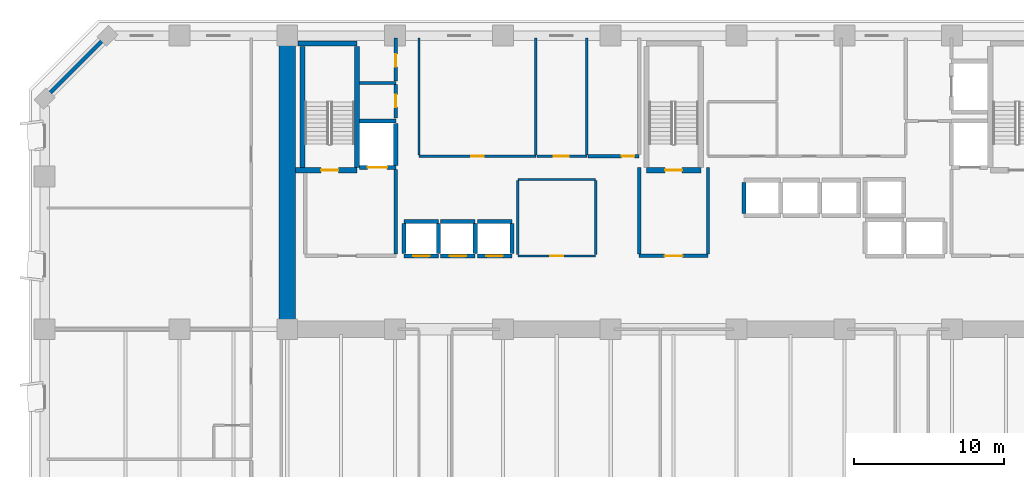
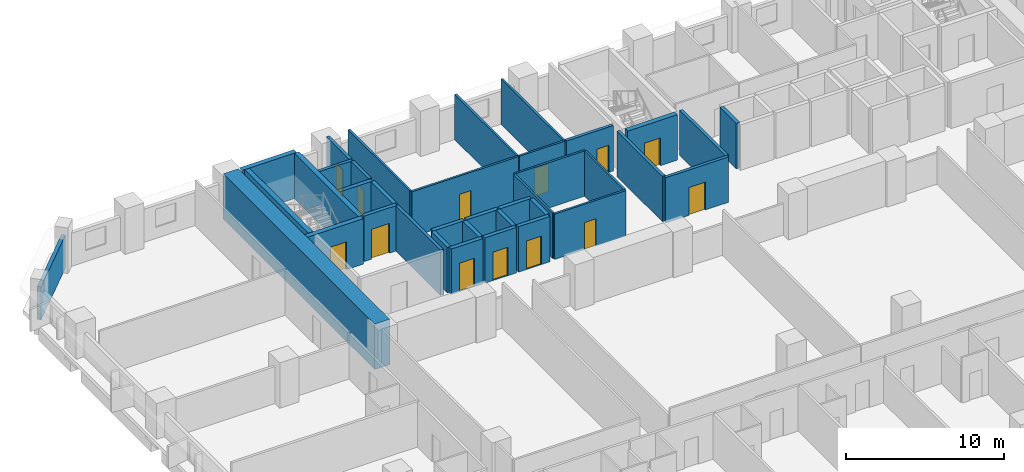
# One storey, part 7 of 15: 38 walls, 13 doors, 13 openings.
"""IFC4 building model written with IfcOpenShell, lengths in metres."""

from ifc_helpers import new_model, si_unit, direction, frame, frame_2d, origin, place, context, subcontext, project, spatial, rectangle, extrude, material, layer, layer_set, type_object, element, fill, save


model = new_model("IFC4")

# Units and contexts
model_context = context("Model", 3, precision=1e-05, world=origin(), true_north=direction((0.0, 1.0)))
body_context = subcontext(model_context, "Body", "Model", "MODEL_VIEW")
ifc_project = project(units=[si_unit("LENGTHUNIT", "METRE"), si_unit("AREAUNIT", "SQUARE_METRE"), si_unit("VOLUMEUNIT", "CUBIC_METRE"), si_unit("PLANEANGLEUNIT", "RADIAN"), si_unit("MASSUNIT", "GRAM", prefix="KILO")], contexts=[model_context])

# Site, building, storey
site_placement = place(None, origin())
site = spatial("IfcSite", under=ifc_project, at=site_placement, CompositionType="ELEMENT")
building_placement = place(site_placement, origin())
building = spatial("IfcBuilding", under=site, at=building_placement, Name="Kaelvorn Grand Hotel", CompositionType="ELEMENT")
storey_placement = place(building_placement, frame((0.0, 0.0, 38.89990234375)))
storey = spatial("IfcBuildingStorey", under=building, at=storey_placement, Name="L07", CompositionType="ELEMENT", Elevation=38.89990234375)

# Walls
ifc_material_1 = material(Name="Concrete C80/95", Category="concrete")
ifc_layer_1 = layer(ifc_material_1, 1.10009765625)
ifc_layer_set_1 = layer_set([ifc_layer_1], Name="Concrete C80/95")
wall_type_1 = type_object("IfcWallType", Name="WL-CORE-1100-C80", PredefinedType="SHEAR", material=ifc_layer_set_1)
wall_1_placement = place(storey_placement, frame((16.199951171875, 29.39990234375, 0.0), z_axis=(0.0, 0.0, 1.0), x_axis=(0.0, 1.0, 0.0)))
element("IfcWall", 1, at=wall_1_placement, inside=storey, type_object=wall_type_1, Name="L07 Rear-Core West Shear Wall", PredefinedType="SHEAR", context=body_context, shape_type="SweptSolid", body=[
    extrude(rectangle(XDim=19.2001953125, YDim=1.10009765625, at=frame_2d((9.60009765625, 0.0))), origin(), (0.0, 0.0, 1.0), 3.510009765625),
])
ifc_material_2 = material(Name="Concrete C40/50", Category="concrete")
ifc_layer_2 = layer(ifc_material_2, 0.260009765625)
ifc_layer_set_2 = layer_set([ifc_layer_2], Name="Concrete C40/50")
wall_type_2 = type_object("IfcWallType", Name="WL-EXT-260-C40", PredefinedType="SOLIDWALL", material=ifc_layer_set_2)
wall_2_placement = place(storey_placement, frame((4.199951171875, 49.0, 0.0), z_axis=(0.0, 0.0, 1.0), x_axis=(-0.707106781187, -0.707106781187, 0.0)))
element("IfcWall", 2, at=wall_2_placement, inside=storey, type_object=wall_type_2, Name="L07 Exterior Architectural Concrete Wall 06", PredefinedType="SOLIDWALL", context=body_context, shape_type="SweptSolid", body=[
    extrude(rectangle(XDim=5.939697265625, YDim=0.260009765625, at=frame_2d((2.9697265625, 0.0))), origin(), (0.0, 0.0, 1.0), 2.56005859375),
])

# Wall, opening, door
ifc_material_3 = material(Name="Acoustic Gypsum & Stud Partition")
ifc_layer_3 = layer(ifc_material_3, 0.14990234375)
ifc_layer_set_3 = layer_set([ifc_layer_3], Name="Acoustic Gypsum & Stud Partition")
wall_type_3 = type_object("IfcWallType", Name="WL-PART-150-EI60", PredefinedType="PARTITIONING", material=ifc_layer_set_3)
wall_3_placement = place(storey_placement, frame((31.60009765625, 34.300048828125, 0.0), z_axis=(0.0, 0.0, 1.0), x_axis=(1.0, 0.0, 0.0)))
wall_3 = element("IfcWall", 3, at=wall_3_placement, inside=storey, type_object=wall_type_3, Name="L07 Core Telecoms & BMS Server Room S Partition", PredefinedType="PARTITIONING", context=body_context, shape_type="SweptSolid", body=[
    extrude(rectangle(XDim=5.199951171875, YDim=0.14990234375, at=frame_2d((2.60009765625, 0.0))), origin(), (0.0, 0.0, 1.0), 3.510009765625),
])
opening_1_placement = place(wall_3_placement, frame((2.175048828125, 0.0, 0.0)))
opening_1 = element("IfcOpeningElement", 4, at=opening_1_placement, cuts=wall_3, Name="Opening DI7", PredefinedType="OPENING", context=body_context, shape_type="SweptSolid", body=[
    extrude(rectangle(XDim=0.85009765625, YDim=2.10009765625, at=frame_2d((0.425048828125, 1.050048828125))), frame((0.0, 0.0849609375, 0.0), z_axis=(0.0, -1.0, 0.0), x_axis=(1.0, 0.0, 0.0)), (0.0, 0.0, 1.0), 0.169921875),
])
ifc_material_4 = material(Name="Powder-Coated Steel Leaf", Category="steel")
door_type_1 = type_object("IfcDoorType", Name="DR-INT-RISER-850x2100", OperationType="NOTDEFINED", PredefinedType="DOOR", material=ifc_material_4)
door_1_placement = place(opening_1_placement, origin())
door_1 = element("IfcDoor", 5, at=door_1_placement, inside=storey, type_object=door_type_1, Name="L07 Core Telecoms & BMS Server Room Door", OperationType="SINGLE_SWING_RIGHT", OverallHeight=2.10009765625, OverallWidth=0.85009765625, PredefinedType="DOOR", context=body_context, shape_type="SweptSolid", body=[
    extrude(rectangle(XDim=0.85009765625, YDim=2.10009765625, at=frame_2d((0.425048828125, 1.050048828125))), frame((0.0, 0.02490234375, 0.0), z_axis=(0.0, -1.0, 0.0), x_axis=(1.0, 0.0, 0.0)), (0.0, 0.0, 1.0), 0.050048828125),
])
fill(opening_1, door_1)

# Walls
wall_4_placement = place(storey_placement, frame((31.60009765625, 39.39990234375, 0.0), z_axis=(0.0, 0.0, 1.0), x_axis=(1.0, 0.0, 0.0)))
element("IfcWall", 6, at=wall_4_placement, inside=storey, type_object=wall_type_3, Name="L07 Core Telecoms & BMS Server Room N Partition", PredefinedType="PARTITIONING", context=body_context, shape_type="SweptSolid", body=[
    extrude(rectangle(XDim=5.199951171875, YDim=0.14990234375, at=frame_2d((2.60009765625, 0.0))), origin(), (0.0, 0.0, 1.0), 3.510009765625),
])
for number, where, z_axis, x_axis, name in (
    (7, (31.60009765625, 34.3798828125, 0.0), (0.0, 0.0, 1.0), (0.0, 1.0, 0.0), "L07 Core Telecoms & BMS Server Room W Partition"),
    (8, (36.800048828125, 34.3798828125, 0.0), (0.0, 0.0, 1.0), (0.0, 1.0, 0.0), "L07 Core Telecoms & BMS Server Room E Partition"),
):
    element("IfcWall", number, at=place(storey_placement, frame(where, z_axis=z_axis, x_axis=x_axis)), inside=storey, type_object=wall_type_3, Name=name, PredefinedType="PARTITIONING", context=body_context, shape_type="SweptSolid", body=[
        extrude(rectangle(XDim=4.940185546875, YDim=0.14990234375, at=frame_2d((2.47021484375, 0.0))), origin(), (0.0, 0.0, 1.0), 3.510009765625),
    ])

# Wall, opening, door
wall_5_placement = place(storey_placement, frame((25.0, 40.949951171875, 0.0), z_axis=(0.0, 0.0, 1.0), x_axis=(1.0, 0.0, 0.0)))
wall_5 = element("IfcWall", 9, at=wall_5_placement, inside=storey, type_object=wall_type_3, Name="L07 Housekeeping & Linen Room S Partition", PredefinedType="PARTITIONING", context=body_context, shape_type="SweptSolid", body=[
    extrude(rectangle(XDim=7.800048828125, YDim=0.14990234375, at=frame_2d((3.89990234375, 0.0))), origin(), (0.0, 0.0, 1.0), 3.510009765625),
])
opening_2_placement = place(wall_5_placement, frame((3.47509765625, 0.0, 0.0)))
opening_2 = element("IfcOpeningElement", 10, at=opening_2_placement, cuts=wall_5, Name="Opening DI7", PredefinedType="OPENING", context=body_context, shape_type="SweptSolid", body=[
    extrude(rectangle(XDim=0.85009765625, YDim=2.10009765625, at=frame_2d((0.425048828125, 1.050048828125))), frame((0.0, 0.0849609375, 0.0), z_axis=(0.0, -1.0, 0.0), x_axis=(1.0, 0.0, 0.0)), (0.0, 0.0, 1.0), 0.169921875),
])
door_2_placement = place(opening_2_placement, origin())
door_2 = element("IfcDoor", 11, at=door_2_placement, inside=storey, type_object=door_type_1, Name="L07 Housekeeping & Linen Room Door", OperationType="SINGLE_SWING_LEFT", OverallHeight=2.10009765625, OverallWidth=0.85009765625, PredefinedType="DOOR", context=body_context, shape_type="SweptSolid", body=[
    extrude(rectangle(XDim=0.85009765625, YDim=2.10009765625, at=frame_2d((0.425048828125, 1.050048828125))), frame((0.0, 0.02490234375, 0.0), z_axis=(0.0, -1.0, 0.0), x_axis=(1.0, 0.0, 0.0)), (0.0, 0.0, 1.0), 0.050048828125),
])
fill(opening_2, door_2)

# Walls
for number, where, z_axis, x_axis, name in (
    (12, (25.0, 41.030029296875, 0.0), (0.0, 0.0, 1.0), (0.0, 1.0, 0.0), "L07 Housekeeping & Linen Room W Partition"),
    (13, (32.800048828125, 41.030029296875, 0.0), (0.0, 0.0, 1.0), (0.0, 1.0, 0.0), "L07 Housekeeping & Linen Room E Partition"),
):
    element("IfcWall", number, at=place(storey_placement, frame(where, z_axis=z_axis, x_axis=x_axis)), inside=storey, type_object=wall_type_3, Name=name, PredefinedType="PARTITIONING", context=body_context, shape_type="SweptSolid", body=[
        extrude(rectangle(XDim=7.820068359375, YDim=0.14990234375, at=frame_2d((3.91015625, 0.0))), origin(), (0.0, 0.0, 1.0), 3.510009765625),
    ])

# Wall, opening, door
wall_6_placement = place(storey_placement, frame((32.8798828125, 40.949951171875, 0.0), z_axis=(0.0, 0.0, 1.0), x_axis=(1.0, 0.0, 0.0)))
wall_6 = element("IfcWall", 14, at=wall_6_placement, inside=storey, type_object=wall_type_3, Name="L07 Floor Butler Tea Point S Partition", PredefinedType="PARTITIONING", context=body_context, shape_type="SweptSolid", body=[
    extrude(rectangle(XDim=3.320068359375, YDim=0.14990234375, at=frame_2d((1.66015625, 0.0))), origin(), (0.0, 0.0, 1.0), 3.510009765625),
])
opening_3_placement = place(wall_6_placement, frame((1.1201171875, 0.0, 0.0)))
opening_3 = element("IfcOpeningElement", 15, at=opening_3_placement, cuts=wall_6, Name="Opening DI3", PredefinedType="OPENING", context=body_context, shape_type="SweptSolid", body=[
    extrude(rectangle(XDim=1.0, YDim=2.14990234375, at=frame_2d((0.5, 1.074951171875))), frame((0.0, 0.0849609375, 0.0), z_axis=(0.0, -1.0, 0.0), x_axis=(1.0, 0.0, 0.0)), (0.0, 0.0, 1.0), 0.169921875),
])
ifc_material_5 = material(Name="Timber Veneer Fire Leaf", Category="wood")
door_type_2 = type_object("IfcDoorType", Name="DR-INT-GUEST-1000x2150", OperationType="NOTDEFINED", PredefinedType="DOOR", material=ifc_material_5)
door_3_placement = place(opening_3_placement, origin())
door_3 = element("IfcDoor", 16, at=door_3_placement, inside=storey, type_object=door_type_2, Name="L07 Floor Butler Tea Point Door", OperationType="SINGLE_SWING_RIGHT", OverallHeight=2.14990234375, OverallWidth=1.0, PredefinedType="DOOR", context=body_context, shape_type="SweptSolid", body=[
    extrude(rectangle(XDim=1.0, YDim=2.14990234375, at=frame_2d((0.5, 1.074951171875))), frame((0.0, 0.02490234375, 0.0), z_axis=(0.0, -1.0, 0.0), x_axis=(1.0, 0.0, 0.0)), (0.0, 0.0, 1.0), 0.050048828125),
])
fill(opening_3, door_3)

# Walls
wall_7_placement = place(storey_placement, frame((36.199951171875, 41.030029296875, 0.0), z_axis=(0.0, 0.0, 1.0), x_axis=(0.0, 1.0, 0.0)))
element("IfcWall", 17, at=wall_7_placement, inside=storey, type_object=wall_type_3, Name="L07 Floor Butler Tea Point E Partition", PredefinedType="PARTITIONING", context=body_context, shape_type="SweptSolid", body=[
    extrude(rectangle(XDim=7.820068359375, YDim=0.14990234375, at=frame_2d((3.91015625, 0.0))), origin(), (0.0, 0.0, 1.0), 3.510009765625),
])
ifc_layer_4 = layer(ifc_material_2, 0.219970703125)
ifc_layer_set_4 = layer_set([ifc_layer_4], Name="Concrete C40/50")
wall_type_4 = type_object("IfcWallType", Name="WL-PART-220-EI120", PredefinedType="PARTITIONING", material=ifc_layer_set_4)
wall_8_placement = place(storey_placement, frame((23.449951171875, 34.4150390625, 0.0), z_axis=(0.0, 0.0, 1.0), x_axis=(0.0, 1.0, 0.0)))
element("IfcWall", 18, at=wall_8_placement, inside=storey, type_object=wall_type_4, Name="L07 Firefighting Lift Lobby 1 E Partition", PredefinedType="PARTITIONING", context=body_context, shape_type="SweptSolid", body=[
    extrude(rectangle(XDim=5.639892578125, YDim=0.219970703125, at=frame_2d((2.81982421875, 0.0))), origin(), (0.0, 0.0, 1.0), 3.510009765625),
])

# Wall, opening, door
wall_9_placement = place(storey_placement, frame((39.699951171875, 34.300048828125, 0.0), z_axis=(0.0, 0.0, 1.0), x_axis=(1.0, 0.0, 0.0)))
wall_9 = element("IfcWall", 19, at=wall_9_placement, inside=storey, type_object=wall_type_4, Name="L07 Central Stair Escape Vestibule S Partition", PredefinedType="PARTITIONING", context=body_context, shape_type="SweptSolid", body=[
    extrude(rectangle(XDim=4.60009765625, YDim=0.219970703125, at=frame_2d((2.300048828125, 0.0))), origin(), (0.0, 0.0, 1.0), 3.510009765625),
])
opening_4_placement = place(wall_9_placement, frame((1.699951171875, 0.0, 0.0)))
opening_4 = element("IfcOpeningElement", 20, at=opening_4_placement, cuts=wall_9, Name="Opening DI2", PredefinedType="OPENING", context=body_context, shape_type="SweptSolid", body=[
    extrude(rectangle(XDim=1.199951171875, YDim=2.14990234375, at=frame_2d((0.60009765625, 1.074951171875))), frame((0.0, 0.1201171875, 0.0), z_axis=(0.0, -1.0, 0.0), x_axis=(1.0, 0.0, 0.0)), (0.0, 0.0, 1.0), 0.239990234375),
])
door_type_3 = type_object("IfcDoorType", Name="DR-INT-FFLOB-1200x2150", OperationType="NOTDEFINED", PredefinedType="DOOR", material=ifc_material_5)
door_4_placement = place(opening_4_placement, origin())
door_4 = element("IfcDoor", 21, at=door_4_placement, inside=storey, type_object=door_type_3, Name="L07 Central Stair Escape Vestibule Door", OperationType="SINGLE_SWING_RIGHT", OverallHeight=2.14990234375, OverallWidth=1.199951171875, PredefinedType="DOOR", context=body_context, shape_type="SweptSolid", body=[
    extrude(rectangle(XDim=1.199951171875, YDim=2.14990234375, at=frame_2d((0.60009765625, 1.074951171875))), frame((0.0, 0.02490234375, 0.0), z_axis=(0.0, -1.0, 0.0), x_axis=(1.0, 0.0, 0.0)), (0.0, 0.0, 1.0), 0.050048828125),
])
fill(opening_4, door_4)

# Walls
for number, where, z_axis, x_axis, name in (
    (22, (39.699951171875, 34.4150390625, 0.0), (0.0, 0.0, 1.0), (0.0, 1.0, 0.0), "L07 Central Stair Escape Vestibule W Partition"),
    (23, (44.300048828125, 34.4150390625, 0.0), (0.0, 0.0, 1.0), (0.0, 1.0, 0.0), "L07 Central Stair Escape Vestibule E Partition"),
):
    element("IfcWall", number, at=place(storey_placement, frame(where, z_axis=z_axis, x_axis=x_axis)), inside=storey, type_object=wall_type_4, Name=name, PredefinedType="PARTITIONING", context=body_context, shape_type="SweptSolid", body=[
        extrude(rectangle(XDim=5.784912109375, YDim=0.219970703125, at=frame_2d((2.892578125, 0.0))), origin(), (0.0, 0.0, 1.0), 3.510009765625),
    ])
wall_10_placement = place(storey_placement, frame((21.034912109375, 45.85009765625, 0.0), z_axis=(0.0, 0.0, 1.0), x_axis=(1.0, 0.0, 0.0)))
element("IfcWall", 24, at=wall_10_placement, inside=storey, type_object=wall_type_4, Name="L07 Wet Fire & Plumbing Riser Shaft N Partition", PredefinedType="PARTITIONING", context=body_context, shape_type="SweptSolid", body=[
    extrude(rectangle(XDim=2.4150390625, YDim=0.219970703125, at=frame_2d((1.20751953125, 0.0))), origin(), (0.0, 0.0, 1.0), 3.510009765625),
])

# Wall, opening, door
wall_11_placement = place(storey_placement, frame((23.449951171875, 43.5, 0.0), z_axis=(0.0, 0.0, 1.0), x_axis=(0.0, 1.0, 0.0)))
wall_11 = element("IfcWall", 25, at=wall_11_placement, inside=storey, type_object=wall_type_4, Name="L07 Wet Fire & Plumbing Riser Shaft E Partition", PredefinedType="PARTITIONING", context=body_context, shape_type="SweptSolid", body=[
    extrude(rectangle(XDim=2.235107421875, YDim=0.219970703125, at=frame_2d((1.11767578125, 0.0))), origin(), (0.0, 0.0, 1.0), 3.510009765625),
])
opening_5_placement = place(wall_11_placement, frame((0.72509765625, 0.0, 0.0)))
opening_5 = element("IfcOpeningElement", 26, at=opening_5_placement, cuts=wall_11, Name="Opening DI7", PredefinedType="OPENING", context=body_context, shape_type="SweptSolid", body=[
    extrude(rectangle(XDim=0.85009765625, YDim=2.10009765625, at=frame_2d((0.425048828125, 1.050048828125))), frame((0.0, 0.1201171875, 0.0), z_axis=(0.0, -1.0, 0.0), x_axis=(1.0, 0.0, 0.0)), (0.0, 0.0, 1.0), 0.239990234375),
])
door_5_placement = place(opening_5_placement, origin())
door_5 = element("IfcDoor", 27, at=door_5_placement, inside=storey, type_object=door_type_1, Name="L07 Wet Fire & Plumbing Riser Shaft Door", OperationType="SINGLE_SWING_RIGHT", OverallHeight=2.10009765625, OverallWidth=0.85009765625, PredefinedType="DOOR", context=body_context, shape_type="SweptSolid", body=[
    extrude(rectangle(XDim=0.85009765625, YDim=2.10009765625, at=frame_2d((0.425048828125, 1.050048828125))), frame((0.0, 0.02490234375, 0.0), z_axis=(0.0, -1.0, 0.0), x_axis=(1.0, 0.0, 0.0)), (0.0, 0.0, 1.0), 0.050048828125),
])
fill(opening_5, door_5)

wall_12_placement = place(storey_placement, frame((23.449951171875, 45.965087890625, 0.0), z_axis=(0.0, 0.0, 1.0), x_axis=(0.0, 1.0, 0.0)))
wall_12 = element("IfcWall", 28, at=wall_12_placement, inside=storey, type_object=wall_type_4, Name="L07 HV Electrical & Smoke Riser E Partition", PredefinedType="PARTITIONING", context=body_context, shape_type="SweptSolid", body=[
    extrude(rectangle(XDim=2.885009765625, YDim=0.219970703125, at=frame_2d((1.4423828125, 0.0))), origin(), (0.0, 0.0, 1.0), 3.510009765625),
])
opening_6_placement = place(wall_12_placement, frame((0.9599609375, 0.0, 0.0)))
opening_6 = element("IfcOpeningElement", 29, at=opening_6_placement, cuts=wall_12, Name="Opening DI7", PredefinedType="OPENING", context=body_context, shape_type="SweptSolid", body=[
    extrude(rectangle(XDim=0.85009765625, YDim=2.10009765625, at=frame_2d((0.425048828125, 1.050048828125))), frame((0.0, 0.1201171875, 0.0), z_axis=(0.0, -1.0, 0.0), x_axis=(1.0, 0.0, 0.0)), (0.0, 0.0, 1.0), 0.239990234375),
])
door_6_placement = place(opening_6_placement, origin())
door_6 = element("IfcDoor", 30, at=door_6_placement, inside=storey, type_object=door_type_1, Name="L07 HV Electrical & Smoke Riser Door", OperationType="SINGLE_SWING_LEFT", OverallHeight=2.10009765625, OverallWidth=0.85009765625, PredefinedType="DOOR", context=body_context, shape_type="SweptSolid", body=[
    extrude(rectangle(XDim=0.85009765625, YDim=2.10009765625, at=frame_2d((0.425048828125, 1.050048828125))), frame((0.0, 0.02490234375, 0.0), z_axis=(0.0, -1.0, 0.0), x_axis=(1.0, 0.0, 0.0)), (0.0, 0.0, 1.0), 0.050048828125),
])
fill(opening_6, door_6)

wall_13_placement = place(storey_placement, frame((36.280029296875, 40.949951171875, 0.0), z_axis=(0.0, 0.0, 1.0), x_axis=(1.0, 0.0, 0.0)))
wall_13 = element("IfcWall", 31, at=wall_13_placement, inside=storey, type_object=wall_type_4, Name="L07 LV Electrical & Metering Room S Partition", PredefinedType="PARTITIONING", context=body_context, shape_type="SweptSolid", body=[
    extrude(rectangle(XDim=3.419921875, YDim=0.219970703125, at=frame_2d((1.7099609375, 0.0))), origin(), (0.0, 0.0, 1.0), 3.510009765625),
])
opening_7_placement = place(wall_13_placement, frame((2.2451171875, 0.0, 0.0)))
opening_7 = element("IfcOpeningElement", 32, at=opening_7_placement, cuts=wall_13, Name="Opening DI7", PredefinedType="OPENING", context=body_context, shape_type="SweptSolid", body=[
    extrude(rectangle(XDim=0.85009765625, YDim=2.10009765625, at=frame_2d((0.425048828125, 1.050048828125))), frame((0.0, 0.1201171875, 0.0), z_axis=(0.0, -1.0, 0.0), x_axis=(1.0, 0.0, 0.0)), (0.0, 0.0, 1.0), 0.239990234375),
])
door_7_placement = place(opening_7_placement, origin())
door_7 = element("IfcDoor", 33, at=door_7_placement, inside=storey, type_object=door_type_1, Name="L07 LV Electrical & Metering Room Door", OperationType="SINGLE_SWING_LEFT", OverallHeight=2.10009765625, OverallWidth=0.85009765625, PredefinedType="DOOR", context=body_context, shape_type="SweptSolid", body=[
    extrude(rectangle(XDim=0.85009765625, YDim=2.10009765625, at=frame_2d((0.425048828125, 1.050048828125))), frame((0.0, 0.02490234375, 0.0), z_axis=(0.0, -1.0, 0.0), x_axis=(1.0, 0.0, 0.0)), (0.0, 0.0, 1.0), 0.050048828125),
])
fill(opening_7, door_7)

ifc_material_6 = material(Name="Concrete C50/60", Category="concrete")
ifc_layer_5 = layer(ifc_material_6, 0.280029296875)
ifc_layer_set_5 = layer_set([ifc_layer_5], Name="Concrete C50/60")
wall_type_5 = type_object("IfcWallType", Name="WL-SHAFT-280-C50", PredefinedType="SHEAR", material=ifc_layer_set_5)
wall_14_placement = place(storey_placement, frame((24.0, 34.300048828125, 0.0), z_axis=(0.0, 0.0, 1.0), x_axis=(1.0, 0.0, 0.0)))
wall_14 = element("IfcWall", 34, at=wall_14_placement, inside=storey, type_object=wall_type_5, Name="L07 Lift PL-L1 Shaft South Wall", PredefinedType="SHEAR", context=body_context, shape_type="SweptSolid", body=[
    extrude(rectangle(XDim=2.300048828125, YDim=0.280029296875, at=frame_2d((1.14990234375, 0.0))), origin(), (0.0, 0.0, 1.0), 3.510009765625),
])
opening_8_placement = place(wall_14_placement, frame((0.60009765625, 0.0, 0.0)))
opening_8 = element("IfcOpeningElement", 35, at=opening_8_placement, cuts=wall_14, Name="Opening LD-PL-L1", PredefinedType="OPENING", context=body_context, shape_type="SweptSolid", body=[
    extrude(rectangle(XDim=1.10009765625, YDim=2.199951171875, at=frame_2d((0.550048828125, 1.10009765625))), frame((0.0, 0.14990234375, 0.0), z_axis=(0.0, -1.0, 0.0), x_axis=(1.0, 0.0, 0.0)), (0.0, 0.0, 1.0), 0.300048828125),
])
ifc_material_7 = material(Name="Stainless Steel", Category="steel")
door_type_4 = type_object("IfcDoorType", Name="DR-LIFT-PASS-1100x2200", OperationType="DOUBLE_DOOR_SLIDING", PredefinedType="DOOR", material=ifc_material_7)
door_8_placement = place(opening_8_placement, origin())
door_8 = element("IfcDoor", 36, at=door_8_placement, inside=storey, type_object=door_type_4, Name="L07 Lift PL-L1 Sliding Landing Door LD-PL-L1", OperationType="DOUBLE_DOOR_SLIDING", OverallHeight=2.199951171875, OverallWidth=1.10009765625, PredefinedType="DOOR", context=body_context, shape_type="SweptSolid", body=[
    extrude(rectangle(XDim=1.10009765625, YDim=2.199951171875, at=frame_2d((0.550048828125, 1.10009765625))), frame((0.0, 0.02490234375, 0.0), z_axis=(0.0, -1.0, 0.0), x_axis=(1.0, 0.0, 0.0)), (0.0, 0.0, 1.0), 0.050048828125),
])
fill(opening_8, door_8)

# Walls
wall_15_placement = place(storey_placement, frame((24.0, 36.60009765625, 0.0), z_axis=(0.0, 0.0, 1.0), x_axis=(1.0, 0.0, 0.0)))
element("IfcWall", 37, at=wall_15_placement, inside=storey, type_object=wall_type_5, Name="L07 Lift PL-L1 Shaft North Wall", PredefinedType="SHEAR", context=body_context, shape_type="SweptSolid", body=[
    extrude(rectangle(XDim=2.300048828125, YDim=0.280029296875, at=frame_2d((1.14990234375, 0.0))), origin(), (0.0, 0.0, 1.0), 3.510009765625),
])
for number, where, z_axis, x_axis, name in (
    (38, (24.0, 34.445068359375, 0.0), (0.0, 0.0, 1.0), (0.0, 1.0, 0.0), "L07 Lift PL-L1 Shaft West Wall"),
    (39, (26.300048828125, 34.445068359375, 0.0), (0.0, 0.0, 1.0), (0.0, 1.0, 0.0), "L07 Lift PL-L1 Shaft East Wall"),
):
    element("IfcWall", number, at=place(storey_placement, frame(where, z_axis=z_axis, x_axis=x_axis)), inside=storey, type_object=wall_type_5, Name=name, PredefinedType="SHEAR", context=body_context, shape_type="SweptSolid", body=[
        extrude(rectangle(XDim=2.010009765625, YDim=0.280029296875, at=frame_2d((1.0048828125, 0.0))), origin(), (0.0, 0.0, 1.0), 3.510009765625),
    ])

# Wall, opening, door
wall_16_placement = place(storey_placement, frame((26.449951171875, 34.300048828125, 0.0), z_axis=(0.0, 0.0, 1.0), x_axis=(1.0, 0.0, 0.0)))
wall_16 = element("IfcWall", 40, at=wall_16_placement, inside=storey, type_object=wall_type_5, Name="L07 Lift PL-L2 Shaft South Wall", PredefinedType="SHEAR", context=body_context, shape_type="SweptSolid", body=[
    extrude(rectangle(XDim=2.300048828125, YDim=0.280029296875, at=frame_2d((1.14990234375, 0.0))), origin(), (0.0, 0.0, 1.0), 3.510009765625),
])
opening_9_placement = place(wall_16_placement, frame((0.60009765625, 0.0, 0.0)))
opening_9 = element("IfcOpeningElement", 41, at=opening_9_placement, cuts=wall_16, Name="Opening LD-PL-L2", PredefinedType="OPENING", context=body_context, shape_type="SweptSolid", body=[
    extrude(rectangle(XDim=1.10009765625, YDim=2.199951171875, at=frame_2d((0.550048828125, 1.10009765625))), frame((0.0, 0.14990234375, 0.0), z_axis=(0.0, -1.0, 0.0), x_axis=(1.0, 0.0, 0.0)), (0.0, 0.0, 1.0), 0.300048828125),
])
door_9_placement = place(opening_9_placement, origin())
door_9 = element("IfcDoor", 42, at=door_9_placement, inside=storey, type_object=door_type_4, Name="L07 Lift PL-L2 Sliding Landing Door LD-PL-L2", OperationType="DOUBLE_DOOR_SLIDING", OverallHeight=2.199951171875, OverallWidth=1.10009765625, PredefinedType="DOOR", context=body_context, shape_type="SweptSolid", body=[
    extrude(rectangle(XDim=1.10009765625, YDim=2.199951171875, at=frame_2d((0.550048828125, 1.10009765625))), frame((0.0, 0.02490234375, 0.0), z_axis=(0.0, -1.0, 0.0), x_axis=(1.0, 0.0, 0.0)), (0.0, 0.0, 1.0), 0.050048828125),
])
fill(opening_9, door_9)

# Walls
wall_17_placement = place(storey_placement, frame((26.449951171875, 36.60009765625, 0.0), z_axis=(0.0, 0.0, 1.0), x_axis=(1.0, 0.0, 0.0)))
element("IfcWall", 43, at=wall_17_placement, inside=storey, type_object=wall_type_5, Name="L07 Lift PL-L2 Shaft North Wall", PredefinedType="SHEAR", context=body_context, shape_type="SweptSolid", body=[
    extrude(rectangle(XDim=2.300048828125, YDim=0.280029296875, at=frame_2d((1.14990234375, 0.0))), origin(), (0.0, 0.0, 1.0), 3.510009765625),
])
wall_18_placement = place(storey_placement, frame((28.75, 34.445068359375, 0.0), z_axis=(0.0, 0.0, 1.0), x_axis=(0.0, 1.0, 0.0)))
element("IfcWall", 44, at=wall_18_placement, inside=storey, type_object=wall_type_5, Name="L07 Lift PL-L2 Shaft East Wall", PredefinedType="SHEAR", context=body_context, shape_type="SweptSolid", body=[
    extrude(rectangle(XDim=2.010009765625, YDim=0.280029296875, at=frame_2d((1.0048828125, 0.0))), origin(), (0.0, 0.0, 1.0), 3.510009765625),
])

# Wall, opening, door
wall_19_placement = place(storey_placement, frame((28.89990234375, 34.300048828125, 0.0), z_axis=(0.0, 0.0, 1.0), x_axis=(1.0, 0.0, 0.0)))
wall_19 = element("IfcWall", 45, at=wall_19_placement, inside=storey, type_object=wall_type_5, Name="L07 Lift PL-L3 Shaft South Wall", PredefinedType="SHEAR", context=body_context, shape_type="SweptSolid", body=[
    extrude(rectangle(XDim=2.300048828125, YDim=0.280029296875, at=frame_2d((1.14990234375, 0.0))), origin(), (0.0, 0.0, 1.0), 3.510009765625),
])
opening_10_placement = place(wall_19_placement, frame((0.60009765625, 0.0, 0.0)))
opening_10 = element("IfcOpeningElement", 46, at=opening_10_placement, cuts=wall_19, Name="Opening LD-PL-L3", PredefinedType="OPENING", context=body_context, shape_type="SweptSolid", body=[
    extrude(rectangle(XDim=1.10009765625, YDim=2.199951171875, at=frame_2d((0.550048828125, 1.10009765625))), frame((0.0, 0.14990234375, 0.0), z_axis=(0.0, -1.0, 0.0), x_axis=(1.0, 0.0, 0.0)), (0.0, 0.0, 1.0), 0.300048828125),
])
door_10_placement = place(opening_10_placement, origin())
door_10 = element("IfcDoor", 47, at=door_10_placement, inside=storey, type_object=door_type_4, Name="L07 Lift PL-L3 Sliding Landing Door LD-PL-L3", OperationType="DOUBLE_DOOR_SLIDING", OverallHeight=2.199951171875, OverallWidth=1.10009765625, PredefinedType="DOOR", context=body_context, shape_type="SweptSolid", body=[
    extrude(rectangle(XDim=1.10009765625, YDim=2.199951171875, at=frame_2d((0.550048828125, 1.10009765625))), frame((0.0, 0.02490234375, 0.0), z_axis=(0.0, -1.0, 0.0), x_axis=(1.0, 0.0, 0.0)), (0.0, 0.0, 1.0), 0.050048828125),
])
fill(opening_10, door_10)

# Walls
wall_20_placement = place(storey_placement, frame((28.89990234375, 36.60009765625, 0.0), z_axis=(0.0, 0.0, 1.0), x_axis=(1.0, 0.0, 0.0)))
element("IfcWall", 48, at=wall_20_placement, inside=storey, type_object=wall_type_5, Name="L07 Lift PL-L3 Shaft North Wall", PredefinedType="SHEAR", context=body_context, shape_type="SweptSolid", body=[
    extrude(rectangle(XDim=2.300048828125, YDim=0.280029296875, at=frame_2d((1.14990234375, 0.0))), origin(), (0.0, 0.0, 1.0), 3.510009765625),
])
wall_21_placement = place(storey_placement, frame((31.199951171875, 34.445068359375, 0.0), z_axis=(0.0, 0.0, 1.0), x_axis=(0.0, 1.0, 0.0)))
element("IfcWall", 49, at=wall_21_placement, inside=storey, type_object=wall_type_5, Name="L07 Lift PL-L3 Shaft East Wall", PredefinedType="SHEAR", context=body_context, shape_type="SweptSolid", body=[
    extrude(rectangle(XDim=2.010009765625, YDim=0.280029296875, at=frame_2d((1.0048828125, 0.0))), origin(), (0.0, 0.0, 1.0), 3.510009765625),
])
wall_22_placement = place(storey_placement, frame((46.699951171875, 37.14501953125, 0.0), z_axis=(0.0, 0.0, 1.0), x_axis=(0.0, 1.0, 0.0)))
element("IfcWall", 50, at=wall_22_placement, inside=storey, type_object=wall_type_5, Name="L07 Lift SL-1 Shaft West Wall", PredefinedType="SHEAR", context=body_context, shape_type="SweptSolid", body=[
    extrude(rectangle(XDim=2.06005859375, YDim=0.280029296875, at=frame_2d((1.030029296875, 0.0))), origin(), (0.0, 0.0, 1.0), 3.510009765625),
])

# Wall, opening, door
wall_23_placement = place(storey_placement, frame((21.034912109375, 40.199951171875, 0.0), z_axis=(0.0, 0.0, 1.0), x_axis=(1.0, 0.0, 0.0)))
wall_23 = element("IfcWall", 51, at=wall_23_placement, inside=storey, type_object=wall_type_5, Name="L07 Lift FFL1 Shaft South Wall", PredefinedType="SHEAR", context=body_context, shape_type="SweptSolid", body=[
    extrude(rectangle(XDim=2.4150390625, YDim=0.280029296875, at=frame_2d((1.20751953125, 0.0))), origin(), (0.0, 0.0, 1.0), 3.510009765625),
])
opening_11_placement = place(wall_23_placement, frame((0.5400390625, 0.0, 0.0)))
opening_11 = element("IfcOpeningElement", 52, at=opening_11_placement, cuts=wall_23, Name="Opening LD-FFL1", PredefinedType="OPENING", context=body_context, shape_type="SweptSolid", body=[
    extrude(rectangle(XDim=1.300048828125, YDim=2.300048828125, at=frame_2d((0.64990234375, 1.14990234375))), frame((0.0, 0.14990234375, 0.0), z_axis=(0.0, -1.0, 0.0), x_axis=(1.0, 0.0, 0.0)), (0.0, 0.0, 1.0), 0.300048828125),
])
door_type_5 = type_object("IfcDoorType", Name="DR-LIFT-SERV-1300x2300", OperationType="DOUBLE_DOOR_SLIDING", PredefinedType="DOOR", material=ifc_material_7)
door_11_placement = place(opening_11_placement, origin())
door_11 = element("IfcDoor", 53, at=door_11_placement, inside=storey, type_object=door_type_5, Name="L07 Lift FFL1 Sliding Landing Door LD-FFL1", OperationType="DOUBLE_DOOR_SLIDING", OverallHeight=2.300048828125, OverallWidth=1.300048828125, PredefinedType="DOOR", context=body_context, shape_type="SweptSolid", body=[
    extrude(rectangle(XDim=1.300048828125, YDim=2.300048828125, at=frame_2d((0.64990234375, 1.14990234375))), frame((0.0, 0.02490234375, 0.0), z_axis=(0.0, -1.0, 0.0), x_axis=(1.0, 0.0, 0.0)), (0.0, 0.0, 1.0), 0.050048828125),
])
fill(opening_11, door_11)

# Walls
wall_24_placement = place(storey_placement, frame((21.034912109375, 43.300048828125, 0.0), z_axis=(0.0, 0.0, 1.0), x_axis=(1.0, 0.0, 0.0)))
element("IfcWall", 54, at=wall_24_placement, inside=storey, type_object=wall_type_5, Name="L07 Lift FFL1 Shaft North Wall", PredefinedType="SHEAR", context=body_context, shape_type="SweptSolid", body=[
    extrude(rectangle(XDim=2.4150390625, YDim=0.280029296875, at=frame_2d((1.20751953125, 0.0))), origin(), (0.0, 0.0, 1.0), 3.510009765625),
])
wall_25_placement = place(storey_placement, frame((23.449951171875, 40.344970703125, 0.0), z_axis=(0.0, 0.0, 1.0), x_axis=(0.0, 1.0, 0.0)))
element("IfcWall", 55, at=wall_25_placement, inside=storey, type_object=wall_type_5, Name="L07 Lift FFL1 Shaft East Wall", PredefinedType="SHEAR", context=body_context, shape_type="SweptSolid", body=[
    extrude(rectangle(XDim=2.81005859375, YDim=0.280029296875, at=frame_2d((1.405029296875, 0.0))), origin(), (0.0, 0.0, 1.0), 3.510009765625),
])

# Wall, opening, door
ifc_material_8 = material(Name="Concrete C60/75", Category="concrete")
ifc_layer_6 = layer(ifc_material_8, 0.35009765625)
ifc_layer_set_6 = layer_set([ifc_layer_6], Name="Concrete C60/75")
wall_type_6 = type_object("IfcWallType", Name="WL-SHAFT-350-C60", PredefinedType="SHEAR", material=ifc_layer_set_6)
wall_26_placement = place(storey_placement, frame((16.7548828125, 40.02490234375, 0.0), z_axis=(0.0, 0.0, 1.0), x_axis=(1.0, 0.0, 0.0)))
wall_26 = element("IfcWall", 56, at=wall_26_placement, inside=storey, type_object=wall_type_6, Name="L07 ST1 Stair Shaft South Wall", PredefinedType="SHEAR", context=body_context, shape_type="SweptSolid", body=[
    extrude(rectangle(XDim=4.10009765625, YDim=0.35009765625, at=frame_2d((2.050048828125, 0.0))), origin(), (0.0, 0.0, 1.0), 3.510009765625),
])
opening_12_placement = place(wall_26_placement, frame((1.7099609375, 0.0, 0.0)))
opening_12 = element("IfcOpeningElement", 57, at=opening_12_placement, cuts=wall_26, Name="Opening DI1", PredefinedType="OPENING", context=body_context, shape_type="SweptSolid", body=[
    extrude(rectangle(XDim=1.14990234375, YDim=2.14990234375, at=frame_2d((0.574951171875, 1.074951171875))), frame((0.0, 0.18505859375, 0.0), z_axis=(0.0, -1.0, 0.0), x_axis=(1.0, 0.0, 0.0)), (0.0, 0.0, 1.0), 0.3701171875),
])
door_type_6 = type_object("IfcDoorType", Name="DR-INT-STAIR-1150x2150", OperationType="NOTDEFINED", PredefinedType="DOOR", material=ifc_material_5)
door_12_placement = place(opening_12_placement, origin())
door_12 = element("IfcDoor", 58, at=door_12_placement, inside=storey, type_object=door_type_6, Name="L07 ST1 Exit Stair Fire Door", OperationType="SINGLE_SWING_LEFT", OverallHeight=2.14990234375, OverallWidth=1.14990234375, PredefinedType="DOOR", context=body_context, shape_type="SweptSolid", body=[
    extrude(rectangle(XDim=1.14990234375, YDim=2.14990234375, at=frame_2d((0.574951171875, 1.074951171875))), frame((0.0, 0.02490234375, 0.0), z_axis=(0.0, -1.0, 0.0), x_axis=(1.0, 0.0, 0.0)), (0.0, 0.0, 1.0), 0.050048828125),
])
fill(opening_12, door_12)

# Walls
wall_27_placement = place(storey_placement, frame((16.905029296875, 48.47509765625, 0.0), z_axis=(0.0, 0.0, 1.0), x_axis=(1.0, 0.0, 0.0)))
element("IfcWall", 59, at=wall_27_placement, inside=storey, type_object=wall_type_6, Name="L07 ST1 Stair Shaft North Wall", PredefinedType="SHEAR", context=body_context, shape_type="SweptSolid", body=[
    extrude(rectangle(XDim=3.949951171875, YDim=0.35009765625, at=frame_2d((1.97509765625, 0.0))), origin(), (0.0, 0.0, 1.0), 3.510009765625),
])
for number, where, z_axis, x_axis, name in (
    (60, (17.22509765625, 40.205078125, 0.0), (0.0, 0.0, 1.0), (0.0, 1.0, 0.0), "L07 ST1 Stair Shaft West Wall"),
    (61, (20.85498046875, 40.205078125, 0.0), (0.0, 0.0, 1.0), (0.0, 1.0, 0.0), "L07 ST1 Stair Shaft East Wall"),
):
    element("IfcWall", number, at=place(storey_placement, frame(where, z_axis=z_axis, x_axis=x_axis)), inside=storey, type_object=wall_type_6, Name=name, PredefinedType="SHEAR", context=body_context, shape_type="SweptSolid", body=[
        extrude(rectangle(XDim=8.08984375, YDim=0.35009765625, at=frame_2d((4.044921875, 0.0))), origin(), (0.0, 0.0, 1.0), 3.510009765625),
    ])

# Wall, opening, door
wall_28_placement = place(storey_placement, frame((40.18505859375, 40.02490234375, 0.0), z_axis=(0.0, 0.0, 1.0), x_axis=(1.0, 0.0, 0.0)))
wall_28 = element("IfcWall", 62, at=wall_28_placement, inside=storey, type_object=wall_type_6, Name="L07 ST2 Stair Shaft South Wall", PredefinedType="SHEAR", context=body_context, shape_type="SweptSolid", body=[
    extrude(rectangle(XDim=3.6298828125, YDim=0.35009765625, at=frame_2d((1.81494140625, 0.0))), origin(), (0.0, 0.0, 1.0), 3.510009765625),
])
opening_13_placement = place(wall_28_placement, frame((1.239990234375, 0.0, 0.0)))
opening_13 = element("IfcOpeningElement", 63, at=opening_13_placement, cuts=wall_28, Name="Opening DI1", PredefinedType="OPENING", context=body_context, shape_type="SweptSolid", body=[
    extrude(rectangle(XDim=1.14990234375, YDim=2.14990234375, at=frame_2d((0.574951171875, 1.074951171875))), frame((0.0, 0.18505859375, 0.0), z_axis=(0.0, -1.0, 0.0), x_axis=(1.0, 0.0, 0.0)), (0.0, 0.0, 1.0), 0.3701171875),
])
door_13_placement = place(opening_13_placement, origin())
door_13 = element("IfcDoor", 64, at=door_13_placement, inside=storey, type_object=door_type_6, Name="L07 ST2 Exit Stair Fire Door", OperationType="SINGLE_SWING_RIGHT", OverallHeight=2.14990234375, OverallWidth=1.14990234375, PredefinedType="DOOR", context=body_context, shape_type="SweptSolid", body=[
    extrude(rectangle(XDim=1.14990234375, YDim=2.14990234375, at=frame_2d((0.574951171875, 1.074951171875))), frame((0.0, 0.02490234375, 0.0), z_axis=(0.0, -1.0, 0.0), x_axis=(1.0, 0.0, 0.0)), (0.0, 0.0, 1.0), 0.050048828125),
])
fill(opening_13, door_13)

save(model, "model.ifc")
